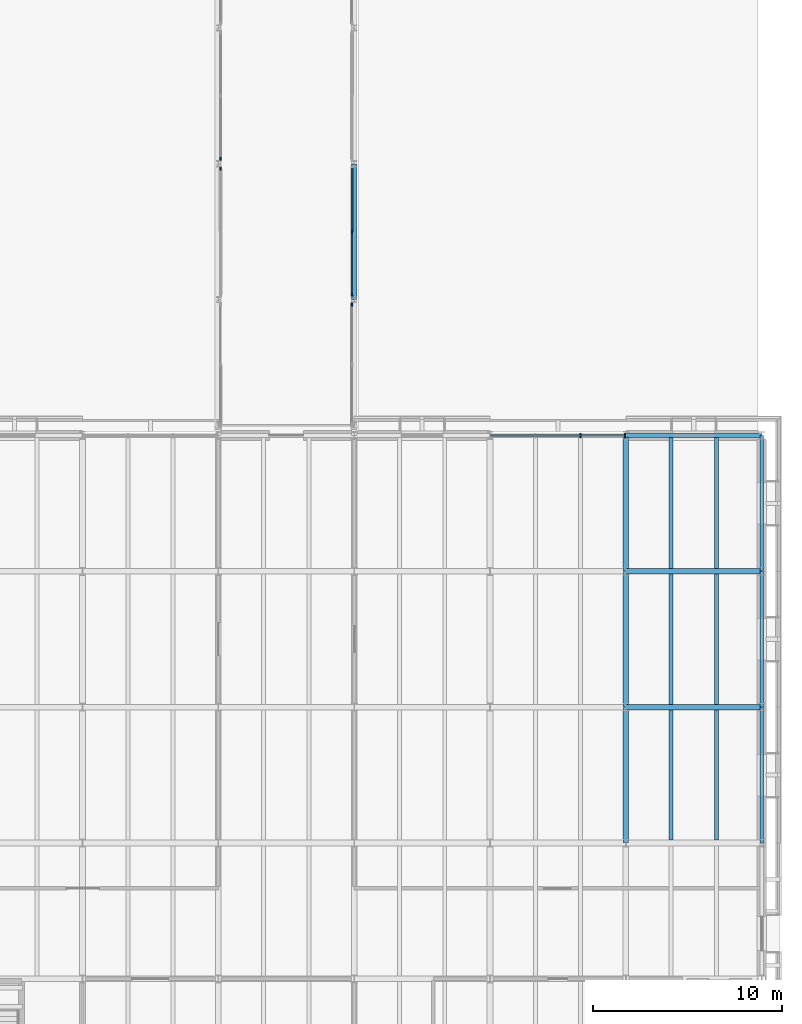
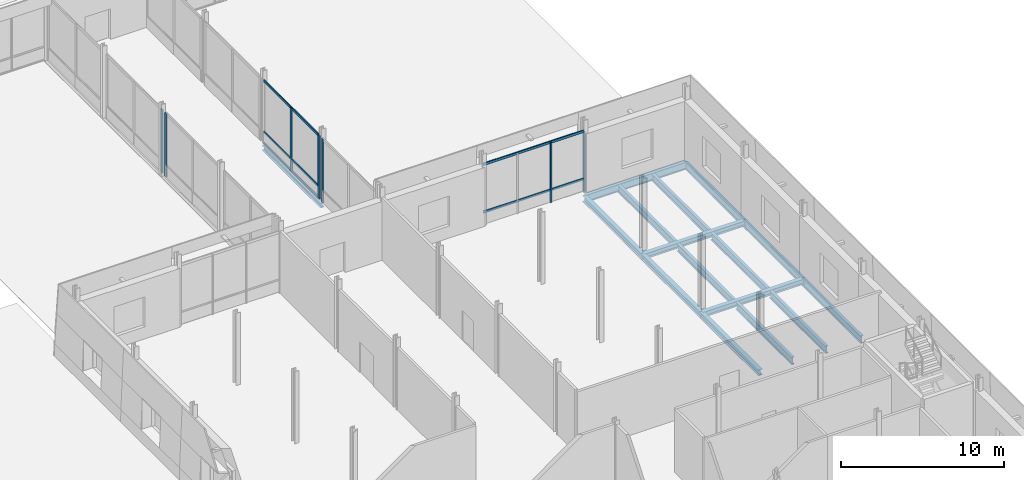
# One storey, part 41 of 120: 16 beams, 12 members, 5 elements without a shape of their own.
"""IFC4 building model written with IfcOpenShell, lengths in metres."""

from ifc_helpers import new_model, si_unit, direction, frame, origin, origin_2d, place, context, subcontext, project, spatial, rectangle, i_section, extrude, material, layer, layer_set, material_profile, profile_set, type_object, element, aggregate, save


model = new_model("IFC4")

# Units and contexts
model_context = context("Model", 3, precision=1e-05, world=origin(), true_north=direction((0.0, 1.0)))
body_context = subcontext(model_context, "Body", "Model", "MODEL_VIEW")
ifc_project = project(units=[si_unit("LENGTHUNIT", "METRE"), si_unit("AREAUNIT", "SQUARE_METRE"), si_unit("VOLUMEUNIT", "CUBIC_METRE"), si_unit("PLANEANGLEUNIT", "RADIAN"), si_unit("MASSUNIT", "GRAM", prefix="KILO")], contexts=[model_context])

# Site, building, storey
site_placement = place(None, origin())
site = spatial("IfcSite", under=ifc_project, at=site_placement, CompositionType="ELEMENT")
building_placement = place(site_placement, origin())
building = spatial("IfcBuilding", under=site, at=building_placement, Name="Narikvali Park Central Library", CompositionType="ELEMENT")
storey_placement = place(building_placement, origin())
storey = spatial("IfcBuildingStorey", under=building, at=storey_placement, Name="L00", CompositionType="ELEMENT", Elevation=0.0)

# Beams
ifc_material_1 = material(Name="Steel S355", Category="steel")
ifc_material_profile_1 = material_profile(ifc_material_1, i_section(OverallWidth=0.2099609375, OverallDepth=0.550048828125, WebThickness=0.010986328125, FlangeThickness=0.01708984375, FilletRadius=0.02392578125, at=origin_2d()), Name="IPE 550")
ifc_profile_set_1 = profile_set([ifc_material_profile_1], Name="Steel S355")
beam_type_1 = type_object("IfcBeamType", Name="Assembly Floor Joist IPE550", PredefinedType="JOIST", material=ifc_profile_set_1)
for number, where, z_axis, x_axis, name in (
    (1, (160.800048828125, 28.949951171875, -0.594970703125), (0.0, 1.0, 0.0), (-1.0, 0.0, 0.0), "V6 L00 Composite Joist 1"),
    (2, (163.199951171875, 28.949951171875, -0.594970703125), (0.0, 1.0, 0.0), (-1.0, 0.0, 0.0), "V6 L00 Composite Joist 2"),
    (3, (160.800048828125, 36.14990234375, -0.594970703125), (0.0, 1.0, 0.0), (-1.0, 0.0, 0.0), "V6 L00 Composite Joist 1"),
    (4, (163.199951171875, 36.14990234375, -0.594970703125), (0.0, 1.0, 0.0), (-1.0, 0.0, 0.0), "V6 L00 Composite Joist 2"),
):
    element("IfcBeam", number, at=place(storey_placement, frame(where, z_axis=z_axis, x_axis=x_axis)), inside=storey, type_object=beam_type_1, Name=name, PredefinedType="JOIST", context=body_context, shape_type="SweptSolid", body=[
        extrude(i_section(OverallWidth=0.2099609375, OverallDepth=0.550048828125, WebThickness=0.010986328125, FlangeThickness=0.01708984375, FilletRadius=0.02392578125, at=origin_2d()), origin(), (0.0, 0.0, 1.0), 6.900146484375),
    ])
for number, where, z_axis, x_axis, name in (
    (5, (160.800048828125, 43.35009765625, -0.594970703125), (0.0, 1.0, 0.0), (-1.0, 0.0, 0.0), "V6 L00 Composite Joist 1"),
    (6, (163.199951171875, 43.35009765625, -0.594970703125), (0.0, 1.0, 0.0), (-1.0, 0.0, 0.0), "V6 L00 Composite Joist 2"),
):
    element("IfcBeam", number, at=place(storey_placement, frame(where, z_axis=z_axis, x_axis=x_axis)), inside=storey, type_object=beam_type_1, Name=name, PredefinedType="JOIST", context=body_context, shape_type="SweptSolid", body=[
        extrude(i_section(OverallWidth=0.2099609375, OverallDepth=0.550048828125, WebThickness=0.010986328125, FlangeThickness=0.01708984375, FilletRadius=0.02392578125, at=origin_2d()), origin(), (0.0, 0.0, 1.0), 6.94482421875),
    ])
ifc_material_profile_2 = material_profile(ifc_material_1, i_section(OverallWidth=0.300048828125, OverallDepth=0.360107421875, WebThickness=0.012451171875, FlangeThickness=0.0224609375, FilletRadius=0.027099609375, at=origin_2d()), Name="HEB 360")
ifc_profile_set_2 = profile_set([ifc_material_profile_2], Name="Steel S355")
beam_type_2 = type_object("IfcBeamType", Name="Cloister Bridge Girder HEB360", PredefinedType="BEAM", material=ifc_profile_set_2)
beam_1_placement = place(storey_placement, frame((144.0, 57.610107421875, -0.429931640625), z_axis=(0.0, 1.0, 0.0), x_axis=(-1.0, 0.0, 0.0)))
element("IfcBeam", 7, at=beam_1_placement, inside=storey, type_object=beam_type_2, Name="BRG-4 L00 Sliding Bridge Girder 2-2", PredefinedType="BEAM", context=body_context, shape_type="SweptSolid", body=[
    extrude(i_section(OverallWidth=0.300048828125, OverallDepth=0.360107421875, WebThickness=0.012451171875, FlangeThickness=0.0224609375, FilletRadius=0.027099609375, at=origin_2d()), origin(), (0.0, 0.0, 1.0), 7.179931640625),
])

# Curtain wall, members
ifc_material_2 = material(Name="Anodised Bronze Aluminium", Category="aluminium")
ifc_layer_1 = layer(ifc_material_2, 0.219970703125, Name="Anodised Bronze Aluminium")
ifc_layer_set_1 = layer_set([ifc_layer_1], Name="Anodised Bronze Aluminium")
curtain_wall_type_1 = type_object("IfcCurtainWallType", Name="Park Cafe Colonnade Glazing System", PredefinedType="NOTDEFINED", material=ifc_layer_set_1)
curtain_wall_1_placement = place(storey_placement, origin())
curtain_wall_1 = element("IfcCurtainWall", 8, at=curtain_wall_1_placement, inside=storey, type_object=curtain_wall_type_1, Name="Park Cafe Colonnade Glazing System CW-V6-L00-N-02", PredefinedType="NOTDEFINED")
ifc_material_profile_3 = material_profile(ifc_material_2, rectangle(XDim=0.074951171875, YDim=0.219970703125, at=origin_2d()), Name="CW MULLION 75x220")
ifc_profile_set_3 = profile_set([ifc_material_profile_3], Name="Anodised Bronze Aluminium")
member_type_1 = type_object("IfcMemberType", Name="Curtain Wall Heavy Mullion 75x220", PredefinedType="MULLION", material=ifc_profile_set_3)
member_1_placement = place(storey_placement, frame((158.362060546875, 50.39990234375, -0.010009765625), z_axis=(0.0, 0.0, 1.0), x_axis=(1.0, 0.0, 0.0)))
member_1 = element("IfcMember", 9, at=member_1_placement, type_object=member_type_1, Name="CW-V6-L00-N-02 Mullion 00", PredefinedType="MULLION", context=body_context, shape_type="SweptSolid", body=[
    extrude(rectangle(XDim=0.074951171875, YDim=0.219970703125, at=origin_2d()), origin(), (0.0, 0.0, 1.0), 4.510009765625),
])
member_2_placement = place(storey_placement, frame((155.9873046875, 50.39990234375, -0.010009765625), z_axis=(0.0, 0.0, 1.0), x_axis=(1.0, 0.0, 0.0)))
member_2 = element("IfcMember", 10, at=member_2_placement, type_object=member_type_1, Name="CW-V6-L00-N-02 Mullion 01", PredefinedType="MULLION", context=body_context, shape_type="SweptSolid", body=[
    extrude(rectangle(XDim=0.074951171875, YDim=0.219970703125, at=origin_2d()), origin(), (0.0, 0.0, 1.0), 4.510009765625),
])

# Curtain wall, member
ifc_layer_2 = layer(ifc_material_2, 0.219970703125, Name="Anodised Bronze Aluminium")
ifc_layer_set_2 = layer_set([ifc_layer_2], Name="Anodised Bronze Aluminium")
curtain_wall_type_2 = type_object("IfcCurtainWallType", Name="Bridge Covered Passage Glazing System", PredefinedType="NOTDEFINED", material=ifc_layer_set_2)
curtain_wall_2_placement = place(storey_placement, origin())
curtain_wall_2 = element("IfcCurtainWall", 11, at=curtain_wall_2_placement, inside=storey, type_object=curtain_wall_type_2, Name="Bridge Covered Passage Glazing System CW-BRG-4-L00-E1", PredefinedType="NOTDEFINED")
member_3_placement = place(storey_placement, frame((143.8798828125, 57.360107421875, -0.010009765625), z_axis=(0.0, 0.0, 1.0), x_axis=(1.0, 0.0, 0.0)))
member_3 = element("IfcMember", 12, at=member_3_placement, type_object=member_type_1, Name="CW-BRG-4-L00-E1 Mullion 02", PredefinedType="MULLION", context=body_context, shape_type="SweptSolid", body=[
    extrude(rectangle(XDim=0.074951171875, YDim=0.219970703125, at=origin_2d()), origin(), (0.0, 0.0, 1.0), 4.760009765625),
])
aggregate(curtain_wall_2, [member_3])

curtain_wall_3_placement = place(storey_placement, origin())
curtain_wall_3 = element("IfcCurtainWall", 13, at=curtain_wall_3_placement, inside=storey, type_object=curtain_wall_type_2, Name="Bridge Covered Passage Glazing System CW-BRG-4-L00-W2", PredefinedType="NOTDEFINED")
member_4_placement = place(storey_placement, frame((136.919921875, 64.56005859375, -0.010009765625), z_axis=(0.0, 0.0, 1.0), x_axis=(1.0, 0.0, 0.0)))
member_4 = element("IfcMember", 14, at=member_4_placement, type_object=member_type_1, Name="CW-BRG-4-L00-W2 Mullion 02", PredefinedType="MULLION", context=body_context, shape_type="SweptSolid", body=[
    extrude(rectangle(XDim=0.074951171875, YDim=0.219970703125, at=origin_2d()), origin(), (0.0, 0.0, 1.0), 4.760009765625),
])
aggregate(curtain_wall_3, [member_4])

# Curtain wall, members
curtain_wall_4_placement = place(storey_placement, origin())
curtain_wall_4 = element("IfcCurtainWall", 15, at=curtain_wall_4_placement, inside=storey, type_object=curtain_wall_type_2, Name="Bridge Covered Passage Glazing System CW-BRG-4-L00-E2", PredefinedType="NOTDEFINED")
member_5_placement = place(storey_placement, frame((143.8798828125, 57.840087890625, -0.010009765625), z_axis=(0.0, 0.0, 1.0), x_axis=(1.0, 0.0, 0.0)))
member_5 = element("IfcMember", 16, at=member_5_placement, type_object=member_type_1, Name="CW-BRG-4-L00-E2 Mullion 00", PredefinedType="MULLION", context=body_context, shape_type="SweptSolid", body=[
    extrude(rectangle(XDim=0.074951171875, YDim=0.219970703125, at=origin_2d()), origin(), (0.0, 0.0, 1.0), 4.760009765625),
])
member_6_placement = place(storey_placement, frame((143.8798828125, 61.199951171875, -0.010009765625), z_axis=(0.0, 0.0, 1.0), x_axis=(1.0, 0.0, 0.0)))
member_6 = element("IfcMember", 17, at=member_6_placement, type_object=member_type_1, Name="CW-BRG-4-L00-E2 Mullion 01", PredefinedType="MULLION", context=body_context, shape_type="SweptSolid", body=[
    extrude(rectangle(XDim=0.074951171875, YDim=0.219970703125, at=origin_2d()), origin(), (0.0, 0.0, 1.0), 4.760009765625),
])

# Curtain wall, member
curtain_wall_5_placement = place(storey_placement, origin())
curtain_wall_5 = element("IfcCurtainWall", 18, at=curtain_wall_5_placement, inside=storey, type_object=curtain_wall_type_2, Name="Bridge Covered Passage Glazing System CW-BRG-4-L00-W3", PredefinedType="NOTDEFINED")
member_7_placement = place(storey_placement, frame((136.919921875, 65.0400390625, -0.010009765625), z_axis=(0.0, 0.0, 1.0), x_axis=(1.0, 0.0, 0.0)))
member_7 = element("IfcMember", 19, at=member_7_placement, type_object=member_type_1, Name="CW-BRG-4-L00-W3 Mullion 00", PredefinedType="MULLION", context=body_context, shape_type="SweptSolid", body=[
    extrude(rectangle(XDim=0.074951171875, YDim=0.219970703125, at=origin_2d()), origin(), (0.0, 0.0, 1.0), 4.760009765625),
])
aggregate(curtain_wall_5, [member_7])

# Member
ifc_material_profile_4 = material_profile(ifc_material_2, rectangle(XDim=0.074951171875, YDim=0.179931640625, at=origin_2d()), Name="CW TRANSOM 75x180")
ifc_profile_set_4 = profile_set([ifc_material_profile_4], Name="Anodised Bronze Aluminium")
member_type_2 = type_object("IfcMemberType", Name="Curtain Wall Heavy Transom 75x180", PredefinedType="USERDEFINED", material=ifc_profile_set_4)
member_8_placement = place(storey_placement, frame((158.362060546875, 50.39990234375, 0.89990234375), z_axis=(-1.0, 0.0, 0.0), x_axis=(0.0, -1.0, 0.0)))
member_8 = element("IfcMember", 20, at=member_8_placement, type_object=member_type_2, Name="CW-V6-L00-N-02 Transom 01", ObjectType="TRANSOM", PredefinedType="USERDEFINED", context=body_context, shape_type="SweptSolid", body=[
    extrude(rectangle(XDim=0.074951171875, YDim=0.179931640625, at=origin_2d()), origin(), (0.0, 0.0, 1.0), 7.1240234375),
])

member_9_placement = place(storey_placement, frame((158.362060546875, 50.39990234375, 4.469970703125), z_axis=(-1.0, 0.0, 0.0), x_axis=(0.0, -1.0, 0.0)))
member_9 = element("IfcMember", 21, at=member_9_placement, type_object=member_type_2, Name="CW-V6-L00-N-02 Transom 02", ObjectType="TRANSOM", PredefinedType="USERDEFINED", context=body_context, shape_type="SweptSolid", body=[
    extrude(rectangle(XDim=0.074951171875, YDim=0.179931640625, at=origin_2d()), origin(), (0.0, 0.0, 1.0), 7.1240234375),
])

aggregate(curtain_wall_1, [member_1, member_2, member_8, member_9])

member_10_placement = place(storey_placement, frame((143.8798828125, 57.840087890625, 0.030029296875), z_axis=(0.0, 1.0, 0.0), x_axis=(-1.0, 0.0, 0.0)))
member_10 = element("IfcMember", 22, at=member_10_placement, type_object=member_type_2, Name="CW-BRG-4-L00-E2 Transom 00", ObjectType="TRANSOM", PredefinedType="USERDEFINED", context=body_context, shape_type="SweptSolid", body=[
    extrude(rectangle(XDim=0.074951171875, YDim=0.179931640625, at=origin_2d()), origin(), (0.0, 0.0, 1.0), 6.719970703125),
])

member_11_placement = place(storey_placement, frame((143.8798828125, 57.840087890625, 0.89990234375), z_axis=(0.0, 1.0, 0.0), x_axis=(-1.0, 0.0, 0.0)))
member_11 = element("IfcMember", 23, at=member_11_placement, type_object=member_type_2, Name="CW-BRG-4-L00-E2 Transom 01", ObjectType="TRANSOM", PredefinedType="USERDEFINED", context=body_context, shape_type="SweptSolid", body=[
    extrude(rectangle(XDim=0.074951171875, YDim=0.179931640625, at=origin_2d()), origin(), (0.0, 0.0, 1.0), 6.719970703125),
])

member_12_placement = place(storey_placement, frame((143.8798828125, 57.840087890625, 4.719970703125), z_axis=(0.0, 1.0, 0.0), x_axis=(-1.0, 0.0, 0.0)))
member_12 = element("IfcMember", 24, at=member_12_placement, type_object=member_type_2, Name="CW-BRG-4-L00-E2 Transom 02", ObjectType="TRANSOM", PredefinedType="USERDEFINED", context=body_context, shape_type="SweptSolid", body=[
    extrude(rectangle(XDim=0.074951171875, YDim=0.179931640625, at=origin_2d()), origin(), (0.0, 0.0, 1.0), 6.719970703125),
])

aggregate(curtain_wall_4, [member_5, member_6, member_10, member_11, member_12])

# Beams
ifc_material_profile_5 = material_profile(ifc_material_1, i_section(OverallWidth=0.300048828125, OverallDepth=0.39990234375, WebThickness=0.013427734375, FlangeThickness=0.02392578125, FilletRadius=0.027099609375, at=origin_2d()), Name="HEB 400")
ifc_profile_set_5 = profile_set([ifc_material_profile_5], Name="Steel S355")
beam_type_3 = type_object("IfcBeamType", Name="Gallery Framing Girder HEB400", PredefinedType="BEAM", material=ifc_profile_set_5)
for number, where, z_axis, x_axis, name in (
    (25, (158.407958984375, 36.0, -0.52001953125), (1.0, 0.0, 0.0), (0.0, 1.0, 0.0), "V6 L00 Girder X"),
    (26, (158.407958984375, 43.199951171875, -0.52001953125), (1.0, 0.0, 0.0), (0.0, 1.0, 0.0), "V6 L00 Girder X"),
):
    element("IfcBeam", number, at=place(storey_placement, frame(where, z_axis=z_axis, x_axis=x_axis)), inside=storey, type_object=beam_type_3, Name=name, PredefinedType="BEAM", context=body_context, shape_type="SweptSolid", body=[
        extrude(i_section(OverallWidth=0.300048828125, OverallDepth=0.39990234375, WebThickness=0.013427734375, FlangeThickness=0.02392578125, FilletRadius=0.027099609375, at=origin_2d()), origin(), (0.0, 0.0, 1.0), 7.18408203125),
    ])
ifc_material_profile_6 = material_profile(ifc_material_1, i_section(OverallWidth=0.2099609375, OverallDepth=0.550048828125, WebThickness=0.010986328125, FlangeThickness=0.01708984375, FilletRadius=0.02392578125, at=origin_2d()), Name="IPE 550")
ifc_profile_set_6 = profile_set([ifc_material_profile_6], Name="Steel S355")
beam_type_4 = type_object("IfcBeamType", Name="Perimeter Spandrel IPE550", PredefinedType="SPANDREL", material=ifc_profile_set_6)
beam_2_placement = place(storey_placement, frame((158.407958984375, 50.39990234375, -0.594970703125), z_axis=(1.0, 0.0, 0.0), x_axis=(0.0, 1.0, 0.0)))
element("IfcBeam", 27, at=beam_2_placement, inside=storey, type_object=beam_type_4, Name="V6 L00 Girder X", PredefinedType="SPANDREL", context=body_context, shape_type="SweptSolid", body=[
    extrude(i_section(OverallWidth=0.2099609375, OverallDepth=0.550048828125, WebThickness=0.010986328125, FlangeThickness=0.01708984375, FilletRadius=0.02392578125, at=origin_2d()), origin(), (0.0, 0.0, 1.0), 7.18408203125),
])
for number, where, z_axis, x_axis, name in (
    (28, (165.60009765625, 28.80810546875, -0.594970703125), (0.0, 1.0, 0.0), (-1.0, 0.0, 0.0), "V6 L00 Girder Y"),
    (29, (165.60009765625, 36.008056640625, -0.594970703125), (0.0, 1.0, 0.0), (-1.0, 0.0, 0.0), "V6 L00 Girder Y"),
):
    element("IfcBeam", number, at=place(storey_placement, frame(where, z_axis=z_axis, x_axis=x_axis)), inside=storey, type_object=beam_type_4, Name=name, PredefinedType="SPANDREL", context=body_context, shape_type="SweptSolid", body=[
        extrude(i_section(OverallWidth=0.2099609375, OverallDepth=0.550048828125, WebThickness=0.010986328125, FlangeThickness=0.01708984375, FilletRadius=0.02392578125, at=origin_2d()), origin(), (0.0, 0.0, 1.0), 7.183837890625),
    ])
beam_3_placement = place(storey_placement, frame((165.60009765625, 43.2080078125, -0.594970703125), z_axis=(0.0, 1.0, 0.0), x_axis=(-1.0, 0.0, 0.0)))
element("IfcBeam", 30, at=beam_3_placement, inside=storey, type_object=beam_type_4, Name="V6 L00 Girder Y", PredefinedType="SPANDREL", context=body_context, shape_type="SweptSolid", body=[
    extrude(i_section(OverallWidth=0.2099609375, OverallDepth=0.550048828125, WebThickness=0.010986328125, FlangeThickness=0.01708984375, FilletRadius=0.02392578125, at=origin_2d()), origin(), (0.0, 0.0, 1.0), 7.18408203125),
])
ifc_material_profile_7 = material_profile(ifc_material_1, i_section(OverallWidth=0.300048828125, OverallDepth=0.43994140625, WebThickness=0.011474609375, FlangeThickness=0.02099609375, FilletRadius=0.027099609375, at=origin_2d()), Name="HEA 450")
ifc_profile_set_7 = profile_set([ifc_material_profile_7], Name="Steel S355")
beam_type_5 = type_object("IfcBeamType", Name="Primary Girder HEA450", PredefinedType="BEAM", material=ifc_profile_set_7)
for number, where, z_axis, x_axis, name in (
    (31, (158.39990234375, 28.80810546875, -0.5400390625), (0.0, 1.0, 0.0), (-1.0, 0.0, 0.0), "V6 L00 Girder Y"),
    (32, (158.39990234375, 36.008056640625, -0.5400390625), (0.0, 1.0, 0.0), (-1.0, 0.0, 0.0), "V6 L00 Girder Y"),
):
    element("IfcBeam", number, at=place(storey_placement, frame(where, z_axis=z_axis, x_axis=x_axis)), inside=storey, type_object=beam_type_5, Name=name, PredefinedType="BEAM", context=body_context, shape_type="SweptSolid", body=[
        extrude(i_section(OverallWidth=0.300048828125, OverallDepth=0.43994140625, WebThickness=0.011474609375, FlangeThickness=0.02099609375, FilletRadius=0.027099609375, at=origin_2d()), origin(), (0.0, 0.0, 1.0), 7.183837890625),
    ])
beam_4_placement = place(storey_placement, frame((158.39990234375, 43.2080078125, -0.5400390625), z_axis=(0.0, 1.0, 0.0), x_axis=(-1.0, 0.0, 0.0)))
element("IfcBeam", 33, at=beam_4_placement, inside=storey, type_object=beam_type_5, Name="V6 L00 Girder Y", PredefinedType="BEAM", context=body_context, shape_type="SweptSolid", body=[
    extrude(i_section(OverallWidth=0.300048828125, OverallDepth=0.43994140625, WebThickness=0.011474609375, FlangeThickness=0.02099609375, FilletRadius=0.027099609375, at=origin_2d()), origin(), (0.0, 0.0, 1.0), 7.18408203125),
])

save(model, "model.ifc")
